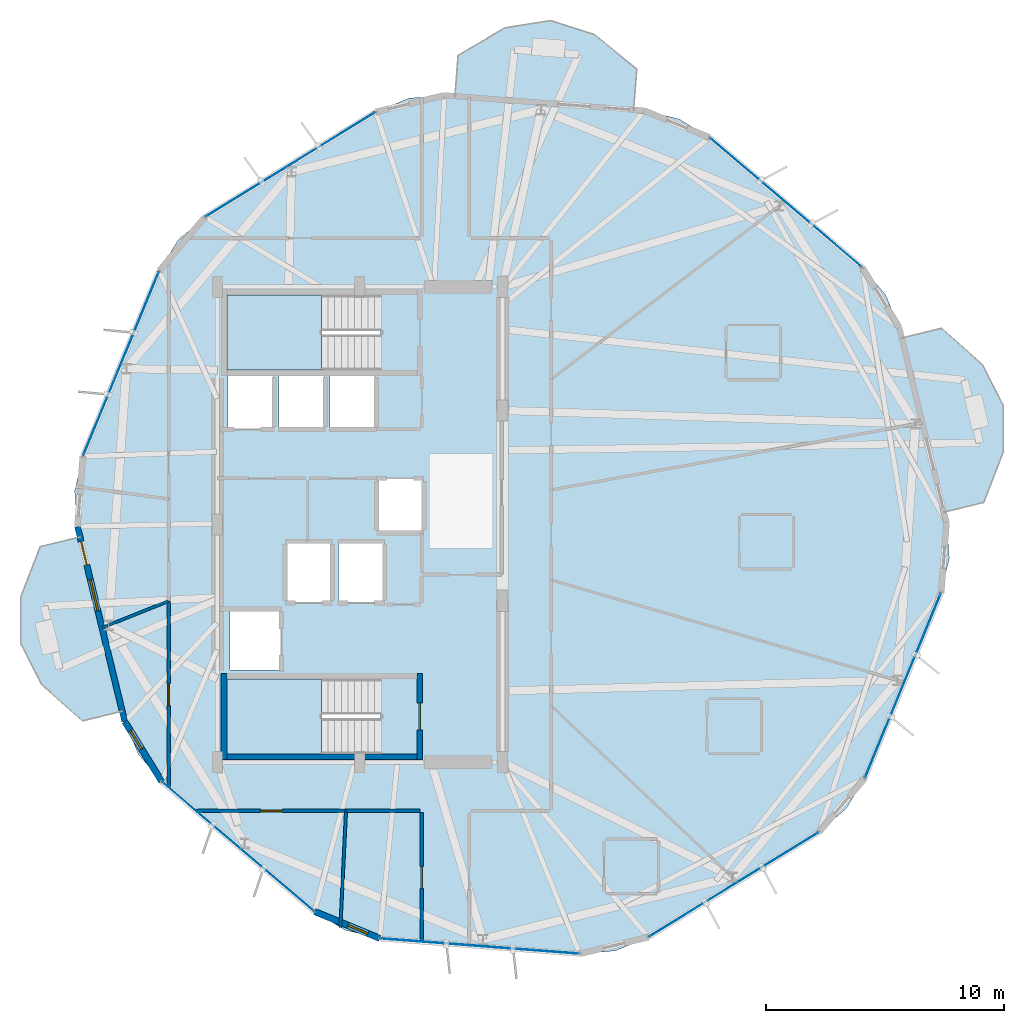
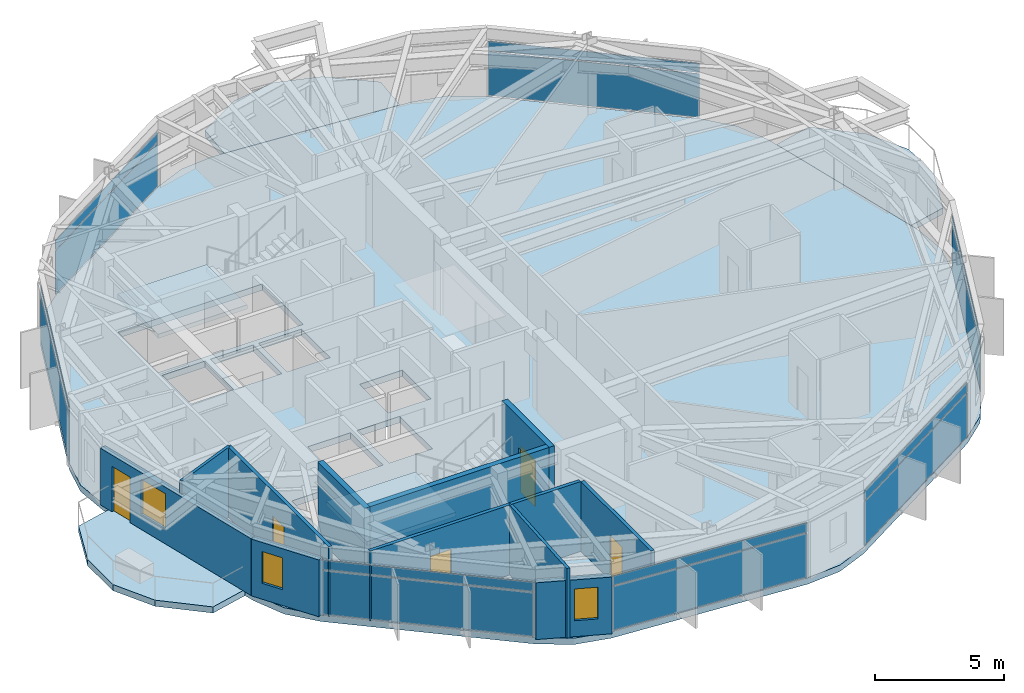
# One storey, part 14 of 21: 14 plates, 12 walls, 6 slabs, 5 doors, 3 windows, 8 openings, 9 elements without a shape of their own.
"""IFC4 building model written with IfcOpenShell, lengths in metres."""

from ifc_helpers import new_model, si_unit, direction, frame, frame_2d, origin, origin_2d, place, context, subcontext, project, spatial, polyline, rectangle, outline, extrude, material, layer, layer_set, type_object, element, fill, aggregate, save


model = new_model("IFC4")

# Units and contexts
model_context = context("Model", 3, precision=1e-05, world=origin(), true_north=direction((0.0, 1.0)))
body_context = subcontext(model_context, "Body", "Model", "MODEL_VIEW")
ifc_project = project(units=[si_unit("LENGTHUNIT", "METRE"), si_unit("AREAUNIT", "SQUARE_METRE"), si_unit("VOLUMEUNIT", "CUBIC_METRE"), si_unit("PLANEANGLEUNIT", "RADIAN"), si_unit("MASSUNIT", "GRAM", prefix="KILO")], contexts=[model_context])

# Site, building, storey
site_placement = place(None, origin())
site = spatial("IfcSite", under=ifc_project, at=site_placement, CompositionType="ELEMENT")
building_placement = place(site_placement, origin())
building = spatial("IfcBuilding", under=site, at=building_placement, Name="Soratama Intermodal Tower", CompositionType="ELEMENT")
storey_placement = place(building_placement, frame((0.0, 0.0, 149.800048828125)))
storey = spatial("IfcBuildingStorey", under=building, at=storey_placement, Name="L36", CompositionType="ELEMENT", Elevation=149.800048828125)

# Curtain wall, plates
ifc_material_1 = material(Name="Double-glazed aluminium curtain wall", Category="aluminium")
ifc_layer_1 = layer(ifc_material_1, 0.159912109375)
ifc_layer_set_1 = layer_set([ifc_layer_1], Name="Double-glazed aluminium curtain wall")
curtain_wall_type = type_object("IfcCurtainWallType", Name="CW-SYS-4", PredefinedType="NOTDEFINED", material=ifc_layer_set_1)
curtain_wall_1_placement = place(storey_placement, origin())
curtain_wall_1 = element("IfcCurtainWall", 1, at=curtain_wall_1_placement, inside=storey, type_object=curtain_wall_type, Name="L36 Faceted Curtain Wall F01", PredefinedType="NOTDEFINED")
ifc_material_2 = material(Name="Low-E laminated double glazing", Category="glass")
ifc_layer_2 = layer(ifc_material_2, 0.02392578125)
ifc_layer_set_2 = layer_set([ifc_layer_2], Name="Low-E laminated double glazing")
plate_type = type_object("IfcPlateType", Name="PT-CWP-4", PredefinedType="CURTAIN_PANEL", material=ifc_layer_set_2)
plate_1_placement = place(storey_placement, frame((56.5244140625, 38.550537109375, 0.059814453125), z_axis=(0.0, 0.0, 1.0), x_axis=(-0.761761555942, 0.647857493504, 0.0)))
plate_1 = element("IfcPlate", 2, at=plate_1_placement, type_object=plate_type, Name="CW-4 panel 1.1", PredefinedType="CURTAIN_PANEL", context=body_context, shape_type="SweptSolid", body=[
    extrude(rectangle(XDim=8.320556640625, YDim=0.028076171875, at=origin_2d()), origin(), (0.0, 0.0, 1.0), 2.06005859375),
])
plate_2_placement = place(storey_placement, frame((56.5244140625, 38.550537109375, 2.179931640625), z_axis=(0.0, 0.0, 1.0), x_axis=(-0.761761555942, 0.647857493504, 0.0)))
plate_2 = element("IfcPlate", 3, at=plate_2_placement, type_object=plate_type, Name="CW-4 panel 1.2", PredefinedType="CURTAIN_PANEL", context=body_context, shape_type="SweptSolid", body=[
    extrude(rectangle(XDim=8.320556640625, YDim=0.028076171875, at=origin_2d()), origin(), (0.0, 0.0, 1.0), 0.43896484375),
])
aggregate(curtain_wall_1, [plate_1, plate_2])

curtain_wall_2_placement = place(storey_placement, origin())
curtain_wall_2 = element("IfcCurtainWall", 4, at=curtain_wall_2_placement, inside=storey, type_object=curtain_wall_type, Name="L36 Faceted Curtain Wall F03", PredefinedType="NOTDEFINED")
plate_3_placement = place(storey_placement, frame((35.673828125, 40.147705078125, 0.059814453125), z_axis=(0.0, 0.0, 1.0), x_axis=(-0.851548057479, -0.524276554696, 0.0)))
plate_3 = element("IfcPlate", 5, at=plate_3_placement, type_object=plate_type, Name="CW-4 panel 1.1", PredefinedType="CURTAIN_PANEL", context=body_context, shape_type="SweptSolid", body=[
    extrude(rectangle(XDim=8.3203125, YDim=0.028076171875, at=origin_2d()), origin(), (0.0, 0.0, 1.0), 2.06005859375),
])
plate_4_placement = place(storey_placement, frame((35.673828125, 40.147705078125, 2.179931640625), z_axis=(0.0, 0.0, 1.0), x_axis=(-0.851548057479, -0.524276554696, 0.0)))
plate_4 = element("IfcPlate", 6, at=plate_4_placement, type_object=plate_type, Name="CW-4 panel 1.2", PredefinedType="CURTAIN_PANEL", context=body_context, shape_type="SweptSolid", body=[
    extrude(rectangle(XDim=8.3203125, YDim=0.028076171875, at=origin_2d()), origin(), (0.0, 0.0, 1.0), 0.43896484375),
])
aggregate(curtain_wall_2, [plate_3, plate_4])

curtain_wall_3_placement = place(storey_placement, origin())
curtain_wall_3 = element("IfcCurtainWall", 7, at=curtain_wall_3_placement, inside=storey, type_object=curtain_wall_type, Name="L36 Faceted Curtain Wall F04", PredefinedType="NOTDEFINED")
plate_5_placement = place(storey_placement, frame((28.55126953125, 31.77294921875, 0.059814453125), z_axis=(0.0, 0.0, 1.0), x_axis=(-0.380749805255, -0.924678098474, 0.0)))
plate_5 = element("IfcPlate", 8, at=plate_5_placement, type_object=plate_type, Name="CW-4 panel 1.1", PredefinedType="CURTAIN_PANEL", context=body_context, shape_type="SweptSolid", body=[
    extrude(rectangle(XDim=8.320556640625, YDim=0.028076171875, at=origin_2d()), origin(), (0.0, 0.0, 1.0), 2.06005859375),
])
plate_6_placement = place(storey_placement, frame((28.55126953125, 31.77294921875, 2.179931640625), z_axis=(0.0, 0.0, 1.0), x_axis=(-0.380749805255, -0.924678098474, 0.0)))
plate_6 = element("IfcPlate", 9, at=plate_6_placement, type_object=plate_type, Name="CW-4 panel 1.2", PredefinedType="CURTAIN_PANEL", context=body_context, shape_type="SweptSolid", body=[
    extrude(rectangle(XDim=8.320556640625, YDim=0.028076171875, at=origin_2d()), origin(), (0.0, 0.0, 1.0), 0.43896484375),
])
aggregate(curtain_wall_3, [plate_5, plate_6])

curtain_wall_4_placement = place(storey_placement, origin())
curtain_wall_4 = element("IfcCurtainWall", 10, at=curtain_wall_4_placement, inside=storey, type_object=curtain_wall_type, Name="L36 Faceted Curtain Wall F06", PredefinedType="NOTDEFINED")
plate_7_placement = place(storey_placement, frame((33.4755859375, 11.449462890625, 0.059814453125), z_axis=(0.0, 0.0, 1.0), x_axis=(0.761761555942, -0.647857493504, 0.0)))
plate_7 = element("IfcPlate", 11, at=plate_7_placement, type_object=plate_type, Name="CW-4 panel 1.1", PredefinedType="CURTAIN_PANEL", context=body_context, shape_type="SweptSolid", body=[
    extrude(rectangle(XDim=8.320556640625, YDim=0.028076171875, at=origin_2d()), origin(), (0.0, 0.0, 1.0), 2.06005859375),
])
plate_8_placement = place(storey_placement, frame((33.4755859375, 11.449462890625, 2.179931640625), z_axis=(0.0, 0.0, 1.0), x_axis=(0.761761555942, -0.647857493504, 0.0)))
plate_8 = element("IfcPlate", 12, at=plate_8_placement, type_object=plate_type, Name="CW-4 panel 1.2", PredefinedType="CURTAIN_PANEL", context=body_context, shape_type="SweptSolid", body=[
    extrude(rectangle(XDim=8.320556640625, YDim=0.028076171875, at=origin_2d()), origin(), (0.0, 0.0, 1.0), 0.43896484375),
])
aggregate(curtain_wall_4, [plate_7, plate_8])

curtain_wall_5_placement = place(storey_placement, origin())
curtain_wall_5 = element("IfcCurtainWall", 13, at=curtain_wall_5_placement, inside=storey, type_object=curtain_wall_type, Name="L36 Faceted Curtain Wall F07", PredefinedType="NOTDEFINED")
plate_9_placement = place(storey_placement, frame((43.6416015625, 7.263427734375, 0.059814453125), z_axis=(0.0, 0.0, 1.0), x_axis=(0.997079521421, -0.076370334311, 0.0)))
plate_9 = element("IfcPlate", 14, at=plate_9_placement, type_object=plate_type, Name="CW-4 panel 1.1", PredefinedType="CURTAIN_PANEL", context=body_context, shape_type="SweptSolid", body=[
    extrude(rectangle(XDim=8.320556640625, YDim=0.028076171875, at=origin_2d()), origin(), (0.0, 0.0, 1.0), 2.06005859375),
])
plate_10_placement = place(storey_placement, frame((43.6416015625, 7.263427734375, 2.179931640625), z_axis=(0.0, 0.0, 1.0), x_axis=(0.997079521421, -0.076370334311, 0.0)))
plate_10 = element("IfcPlate", 15, at=plate_10_placement, type_object=plate_type, Name="CW-4 panel 1.2", PredefinedType="CURTAIN_PANEL", context=body_context, shape_type="SweptSolid", body=[
    extrude(rectangle(XDim=8.320556640625, YDim=0.028076171875, at=origin_2d()), origin(), (0.0, 0.0, 1.0), 0.43896484375),
])
aggregate(curtain_wall_5, [plate_9, plate_10])

curtain_wall_6_placement = place(storey_placement, origin())
curtain_wall_6 = element("IfcCurtainWall", 16, at=curtain_wall_6_placement, inside=storey, type_object=curtain_wall_type, Name="L36 Faceted Curtain Wall F08", PredefinedType="NOTDEFINED")
plate_11_placement = place(storey_placement, frame((54.326171875, 9.852294921875, 0.059814453125), z_axis=(0.0, 0.0, 1.0), x_axis=(0.851548057479, 0.524276554696, 0.0)))
plate_11 = element("IfcPlate", 17, at=plate_11_placement, type_object=plate_type, Name="CW-4 panel 1.1", PredefinedType="CURTAIN_PANEL", context=body_context, shape_type="SweptSolid", body=[
    extrude(rectangle(XDim=8.3203125, YDim=0.028076171875, at=origin_2d()), origin(), (0.0, 0.0, 1.0), 2.06005859375),
])
plate_12_placement = place(storey_placement, frame((54.326171875, 9.852294921875, 2.179931640625), z_axis=(0.0, 0.0, 1.0), x_axis=(0.851548057479, 0.524276554696, 0.0)))
plate_12 = element("IfcPlate", 18, at=plate_12_placement, type_object=plate_type, Name="CW-4 panel 1.2", PredefinedType="CURTAIN_PANEL", context=body_context, shape_type="SweptSolid", body=[
    extrude(rectangle(XDim=8.3203125, YDim=0.028076171875, at=origin_2d()), origin(), (0.0, 0.0, 1.0), 0.43896484375),
])
aggregate(curtain_wall_6, [plate_11, plate_12])

curtain_wall_7_placement = place(storey_placement, origin())
curtain_wall_7 = element("IfcCurtainWall", 19, at=curtain_wall_7_placement, inside=storey, type_object=curtain_wall_type, Name="L36 Faceted Curtain Wall F09", PredefinedType="NOTDEFINED")
plate_13_placement = place(storey_placement, frame((61.44873046875, 18.22705078125, 0.059814453125), z_axis=(0.0, 0.0, 1.0), x_axis=(0.380749805255, 0.924678098474, 0.0)))
plate_13 = element("IfcPlate", 20, at=plate_13_placement, type_object=plate_type, Name="CW-4 panel 1.1", PredefinedType="CURTAIN_PANEL", context=body_context, shape_type="SweptSolid", body=[
    extrude(rectangle(XDim=8.320556640625, YDim=0.028076171875, at=origin_2d()), origin(), (0.0, 0.0, 1.0), 2.06005859375),
])
plate_14_placement = place(storey_placement, frame((61.44873046875, 18.22705078125, 2.179931640625), z_axis=(0.0, 0.0, 1.0), x_axis=(0.380749805255, 0.924678098474, 0.0)))
plate_14 = element("IfcPlate", 21, at=plate_14_placement, type_object=plate_type, Name="CW-4 panel 1.2", PredefinedType="CURTAIN_PANEL", context=body_context, shape_type="SweptSolid", body=[
    extrude(rectangle(XDim=8.320556640625, YDim=0.028076171875, at=origin_2d()), origin(), (0.0, 0.0, 1.0), 0.43896484375),
])
aggregate(curtain_wall_7, [plate_13, plate_14])

# Slabs
ifc_material_3 = material(Name="Concrete f'c 42 MPa", Category="concrete")
ifc_layer_3 = layer(ifc_material_3, 0.2900390625)
ifc_layer_set_3 = layer_set([ifc_layer_3], Name="Concrete f'c 42 MPa")
slab_type_1 = type_object("IfcSlabType", Name="SL-EXT-BAL2", PredefinedType="FLOOR", material=ifc_layer_set_3)
slab_1_placement = place(storey_placement, frame((0.0, 0.0, -0.2900390625)))
element("IfcSlab", 22, at=slab_1_placement, inside=storey, type_object=slab_type_1, Name="L36 Planted Balcony East 1", PredefinedType="FLOOR", context=body_context, shape_type="SweptSolid", body=[
    extrude(outline(polyline([(63.176025390625, 25.524658203125), (61.400390625, 32.85302734375), (63.072021484375, 33.258056640625), (64.7900390625, 31.734619140625), (65.67041015625, 30.00830078125), (65.677734375, 28.0703125), (64.84765625, 25.9296875), (63.176025390625, 25.524658203125)])), origin(), (0.0, 0.0, 1.0), 0.2900390625),
])
slab_2_placement = place(storey_placement, frame((0.0, 0.0, -0.2900390625)))
element("IfcSlab", 23, at=slab_2_placement, inside=storey, type_object=slab_type_1, Name="L36 Planted Balcony North 2", PredefinedType="FLOOR", context=body_context, shape_type="SweptSolid", body=[
    extrude(outline(polyline([(50.11767578125, 42.448486328125), (42.599365234375, 43.0244140625), (42.730712890625, 44.739501953125), (44.71044921875, 45.902587890625), (46.624267578125, 46.206298828125), (48.469482421875, 45.614501953125), (50.2490234375, 44.16357421875), (50.11767578125, 42.448486328125)])), origin(), (0.0, 0.0, 1.0), 0.2900390625),
])
slab_3_placement = place(storey_placement, frame((0.0, 0.0, -0.2900390625)))
element("IfcSlab", 24, at=slab_3_placement, inside=storey, type_object=slab_type_1, Name="L36 Planted Balcony West 3", PredefinedType="FLOOR", context=body_context, shape_type="SweptSolid", body=[
    extrude(outline(polyline([(26.823974609375, 24.475341796875), (28.599609375, 17.14697265625), (26.927978515625, 16.741943359375), (25.2099609375, 18.265380859375), (24.32958984375, 19.99169921875), (24.322265625, 21.9296875), (25.15234375, 24.0703125), (26.823974609375, 24.475341796875)])), origin(), (0.0, 0.0, 1.0), 0.2900390625),
])

# Stair, slab
ifc_material_4 = material(Name="Concrete f'c 42 MPa", Category="concrete")
stair_type = type_object("IfcStairType", Name="ST-CORE-DOGLEG", PredefinedType="HALF_TURN_STAIR", material=ifc_material_4)
stair_1_placement = place(storey_placement, origin())
stair_1 = element("IfcStair", 25, at=stair_1_placement, inside=storey, type_object=stair_type, Name="L36 ST-1", PredefinedType="HALF_TURN_STAIR")
ifc_material_5 = material(Name="Concrete f'c 42 MPa", Category="concrete")
ifc_layer_4 = layer(ifc_material_5, 0.219970703125)
ifc_layer_set_4 = layer_set([ifc_layer_4], Name="Concrete f'c 42 MPa")
slab_type_2 = type_object("IfcSlabType", Name="SL-STAIR-LAND", PredefinedType="LANDING", material=ifc_layer_set_4)
slab_4_placement = place(storey_placement, frame((0.0, 0.0, 1.599853515625)))
slab_4 = element("IfcSlab", 26, at=slab_4_placement, type_object=slab_type_2, Name="ST-1 landing 1", PredefinedType="LANDING", context=body_context, shape_type="SweptSolid", body=[
    extrude(outline(polyline([(36.97998046875, 18.5), (33.0, 18.5), (33.0, 15.35009765625), (36.97998046875, 15.35009765625), (36.97998046875, 18.5)])), origin(), (0.0, 0.0, 1.0), 0.2001953125),
])
aggregate(stair_1, [slab_4])

stair_2_placement = place(storey_placement, origin())
stair_2 = element("IfcStair", 27, at=stair_2_placement, inside=storey, type_object=stair_type, Name="L36 ST-2", PredefinedType="HALF_TURN_STAIR")
slab_5_placement = place(storey_placement, frame((0.0, 0.0, 1.599853515625)))
slab_5 = element("IfcSlab", 28, at=slab_5_placement, type_object=slab_type_2, Name="ST-2 landing 1", PredefinedType="LANDING", context=body_context, shape_type="SweptSolid", body=[
    extrude(outline(polyline([(36.97998046875, 34.64990234375), (33.0, 34.64990234375), (33.0, 31.5), (36.97998046875, 31.5), (36.97998046875, 34.64990234375)])), origin(), (0.0, 0.0, 1.0), 0.2001953125),
])
aggregate(stair_2, [slab_5])

# Slab
ifc_material_6 = material(Name="Concrete f'c 42 MPa", Category="concrete")
ifc_layer_5 = layer(ifc_material_6, 0.280029296875)
ifc_layer_set_5 = layer_set([ifc_layer_5], Name="Concrete f'c 42 MPa")
slab_type_3 = type_object("IfcSlabType", Name="SL-TWR-280", PredefinedType="FLOOR", material=ifc_layer_set_5)
slab_6_placement = place(storey_placement, frame((0.0, 0.0, -0.300048828125)))
element("IfcSlab", 29, at=slab_6_placement, inside=storey, type_object=slab_type_3, Name="L36 Structural Floor Slab", PredefinedType="FLOOR", context=body_context, shape_type="SweptSolid", body=[
    extrude(outline(polyline([(61.29443359375, 33.290283203125), (60.716796875, 34.676513671875), (59.739013671875, 35.81640625), (53.3095703125, 41.28466796875), (52.02734375, 42.066650390625), (50.56640625, 42.414306640625), (42.150634765625, 43.058837890625), (40.65380859375, 42.93798828125), (39.267578125, 42.360107421875), (32.080078125, 37.93505859375), (30.940185546875, 36.95751953125), (30.158203125, 35.67529296875), (26.944580078125, 27.87060546875), (26.596923828125, 26.40966796875), (26.718017578125, 24.91259765625), (28.70556640625, 16.709716796875), (29.283203125, 15.323486328125), (30.260986328125, 14.18359375), (36.6904296875, 8.71533203125), (37.97265625, 7.933349609375), (39.43359375, 7.585693359375), (47.849365234375, 6.941162109375), (49.34619140625, 7.06201171875), (50.732421875, 7.639892578125), (57.919921875, 12.06494140625), (59.059814453125, 13.04248046875), (59.841796875, 14.32470703125), (63.055419921875, 22.12939453125), (63.403076171875, 23.59033203125), (63.281982421875, 25.08740234375), (61.29443359375, 33.290283203125)]), holes=[polyline([(33.0, 18.5), (33.0, 15.35009765625), (39.47509765625, 15.35009765625), (39.47509765625, 18.5), (33.0, 18.5)]), polyline([(35.260009765625, 21.409912109375), (33.139892578125, 21.409912109375), (33.139892578125, 18.889892578125), (35.260009765625, 18.889892578125), (35.260009765625, 21.409912109375)]), polyline([(37.409912109375, 24.260009765625), (35.489990234375, 24.260009765625), (35.489990234375, 21.739990234375), (37.409912109375, 21.739990234375), (37.409912109375, 24.260009765625)]), polyline([(39.610107421875, 24.260009765625), (37.68994140625, 24.260009765625), (37.68994140625, 21.739990234375), (39.610107421875, 21.739990234375), (39.610107421875, 24.260009765625)]), polyline([(41.260009765625, 26.909912109375), (39.340087890625, 26.909912109375), (39.340087890625, 24.68994140625), (41.260009765625, 24.68994140625), (41.260009765625, 26.909912109375)]), polyline([(34.9599609375, 31.260009765625), (33.0400390625, 31.260009765625), (33.0400390625, 29.0400390625), (34.9599609375, 29.0400390625), (34.9599609375, 31.260009765625)]), polyline([(37.110107421875, 31.260009765625), (35.18994140625, 31.260009765625), (35.18994140625, 29.0400390625), (37.110107421875, 29.0400390625), (37.110107421875, 31.260009765625)]), polyline([(39.260009765625, 29.0400390625), (39.260009765625, 31.260009765625), (37.340087890625, 31.260009765625), (37.340087890625, 29.0400390625), (39.260009765625, 29.0400390625)]), polyline([(39.47509765625, 34.64990234375), (33.0, 34.64990234375), (33.0, 31.5), (39.47509765625, 31.5), (39.47509765625, 34.64990234375)])]), origin(), (0.0, 0.0, 1.0), 0.300048828125),
])

# Wall, openings, door, window
ifc_material_7 = material(Name="Concrete f'c 42 MPa", Category="concrete")
ifc_layer_6 = layer(ifc_material_7, 0.25)
ifc_layer_set_6 = layer_set([ifc_layer_6], Name="Concrete f'c 42 MPa")
wall_type_1 = type_object("IfcWallType", Name="EW-BAL-250", PredefinedType="SOLIDWALL", material=ifc_layer_set_6)
wall_1_placement = place(storey_placement, frame((26.718017578125, 24.91259765625, 0.0), z_axis=(0.0, 0.0, 1.0), x_axis=(0.235484947951, -0.971877996092, 0.0)))
wall_1 = element("IfcWall", 30, at=wall_1_placement, inside=storey, type_object=wall_type_1, Name="L36 Terrace Wall F05", PredefinedType="SOLIDWALL", context=body_context, shape_type="SweptSolid", body=[
    extrude(rectangle(XDim=8.440185546875, YDim=0.25, at=frame_2d((4.22021484375, 0.0))), origin(), (0.0, 0.0, 1.0), 2.678955078125),
])
opening_1_placement = place(wall_1_placement, frame((0.64990234375, 0.0, 0.0)))
opening_1 = element("IfcOpeningElement", 31, at=opening_1_placement, cuts=wall_1, Name="Opening ED-2", PredefinedType="OPENING", context=body_context, shape_type="SweptSolid", body=[
    extrude(rectangle(XDim=1.0, YDim=2.14990234375, at=frame_2d((0.5, 1.074951171875))), frame((0.0, 0.135009765625, 0.0), z_axis=(0.0, -1.0, 0.0), x_axis=(1.0, 0.0, 0.0)), (0.0, 0.0, 1.0), 0.27001953125),
])
opening_2_placement = place(wall_1_placement, frame((2.2900390625, 0.0, 0.719970703125)))
opening_2 = element("IfcOpeningElement", 32, at=opening_2_placement, cuts=wall_1, Name="Opening WN-4", PredefinedType="OPENING", context=body_context, shape_type="SweptSolid", body=[
    extrude(rectangle(XDim=1.35009765625, YDim=1.64990234375, at=frame_2d((0.675048828125, 0.824951171875))), frame((0.0, 0.135009765625, 0.0), z_axis=(0.0, -1.0, 0.0), x_axis=(1.0, 0.0, 0.0)), (0.0, 0.0, 1.0), 0.27001953125),
])
ifc_material_8 = material(Name="Double-glazed aluminium door", Category="aluminium")
door_type_1 = type_object("IfcDoorType", Name="DR-BAL-1000", OperationType="NOTDEFINED", PredefinedType="DOOR", material=ifc_material_8)
door_1_placement = place(opening_1_placement, origin())
door_1 = element("IfcDoor", 33, at=door_1_placement, inside=storey, type_object=door_type_1, Name="L36 Balcony Door F05", OperationType="SINGLE_SWING_LEFT", OverallHeight=2.14990234375, OverallWidth=1.0, PredefinedType="DOOR", context=body_context, shape_type="SweptSolid", body=[
    extrude(rectangle(XDim=1.0, YDim=2.14990234375, at=frame_2d((0.5, 1.074951171875))), frame((0.0, 0.02490234375, 0.0), z_axis=(0.0, -1.0, 0.0), x_axis=(1.0, 0.0, 0.0)), (0.0, 0.0, 1.0), 0.050048828125),
])
fill(opening_1, door_1)
ifc_material_9 = material(Name="Double-glazed aluminium window", Category="aluminium")
window_type_1 = type_object("IfcWindowType", Name="WN-FAC-1350", PartitioningType="SINGLE_PANEL", PredefinedType="WINDOW", material=ifc_material_9)
window_1_placement = place(opening_2_placement, origin())
window_1 = element("IfcWindow", 34, at=window_1_placement, inside=storey, type_object=window_type_1, Name="L36 Window B F05", OverallHeight=1.64990234375, OverallWidth=1.35009765625, PartitioningType="SINGLE_PANEL", PredefinedType="WINDOW", context=body_context, shape_type="SweptSolid", body=[
    extrude(rectangle(XDim=1.35009765625, YDim=1.64990234375, at=frame_2d((0.675048828125, 0.824951171875))), frame((0.0, 0.030029296875, 0.0), z_axis=(0.0, -1.0, 0.0), x_axis=(1.0, 0.0, 0.0)), (0.0, 0.0, 1.0), 0.06005859375),
])
fill(opening_2, window_1)

# Wall, opening, window
ifc_material_10 = material(Name="Concrete f'c 42 MPa", Category="concrete")
ifc_layer_7 = layer(ifc_material_10, 0.27001953125)
ifc_layer_set_7 = layer_set([ifc_layer_7], Name="Concrete f'c 42 MPa")
wall_type_2 = type_object("IfcWallType", Name="EW-CRN-270", PredefinedType="SOLIDWALL", material=ifc_layer_set_7)
wall_2_placement = place(storey_placement, frame((28.70556640625, 16.709716796875, 0.0), z_axis=(0.0, 0.0, 1.0), x_axis=(0.52431321731, -0.851525484148, 0.0)))
wall_2 = element("IfcWall", 35, at=wall_2_placement, inside=storey, type_object=wall_type_2, Name="L36 Corner Closure Wall 05", PredefinedType="SOLIDWALL", context=body_context, shape_type="SweptSolid", body=[
    extrude(rectangle(XDim=2.966552734375, YDim=0.27001953125, at=frame_2d((1.4833984375, 0.0))), origin(), (0.0, 0.0, 1.0), 2.678955078125),
])
opening_3_placement = place(wall_2_placement, frame((0.449951171875, 0.0, 0.75)))
opening_3 = element("IfcOpeningElement", 36, at=opening_3_placement, cuts=wall_2, Name="Opening WN-6", PredefinedType="OPENING", context=body_context, shape_type="SweptSolid", body=[
    extrude(rectangle(XDim=0.89990234375, YDim=1.5, at=frame_2d((0.449951171875, 0.75))), frame((0.0, 0.14501953125, 0.0), z_axis=(0.0, -1.0, 0.0), x_axis=(1.0, 0.0, 0.0)), (0.0, 0.0, 1.0), 0.2900390625),
])
ifc_material_11 = material(Name="Double-glazed aluminium window", Category="aluminium")
window_type_2 = type_object("IfcWindowType", Name="WN-FAC-900", PartitioningType="SINGLE_PANEL", PredefinedType="WINDOW", material=ifc_material_11)
window_2_placement = place(opening_3_placement, origin())
window_2 = element("IfcWindow", 37, at=window_2_placement, inside=storey, type_object=window_type_2, Name="L36 Corner Window 05", OverallHeight=1.5, OverallWidth=0.89990234375, PartitioningType="SINGLE_PANEL", PredefinedType="WINDOW", context=body_context, shape_type="SweptSolid", body=[
    extrude(rectangle(XDim=0.89990234375, YDim=1.5, at=frame_2d((0.449951171875, 0.75))), frame((0.0, 0.030029296875, 0.0), z_axis=(0.0, -1.0, 0.0), x_axis=(1.0, 0.0, 0.0)), (0.0, 0.0, 1.0), 0.06005859375),
])
fill(opening_3, window_2)

wall_3_placement = place(storey_placement, frame((36.6904296875, 8.71533203125, 0.0), z_axis=(0.0, 0.0, 1.0), x_axis=(0.924666167686, -0.380778778737, 0.0)))
wall_3 = element("IfcWall", 38, at=wall_3_placement, inside=storey, type_object=wall_type_2, Name="L36 Corner Closure Wall 06", PredefinedType="SOLIDWALL", context=body_context, shape_type="SweptSolid", body=[
    extrude(rectangle(XDim=2.966552734375, YDim=0.27001953125, at=frame_2d((1.4833984375, 0.0))), origin(), (0.0, 0.0, 1.0), 2.678955078125),
])
opening_4_placement = place(wall_3_placement, frame((1.519287109375, 0.0, 0.75)))
opening_4 = element("IfcOpeningElement", 39, at=opening_4_placement, cuts=wall_3, Name="Opening WN-6", PredefinedType="OPENING", context=body_context, shape_type="SweptSolid", body=[
    extrude(rectangle(XDim=0.89990234375, YDim=1.5, at=frame_2d((0.449951171875, 0.75))), frame((0.0, 0.14501953125, 0.0), z_axis=(0.0, -1.0, 0.0), x_axis=(1.0, 0.0, 0.0)), (0.0, 0.0, 1.0), 0.2900390625),
])
window_3_placement = place(opening_4_placement, origin())
window_3 = element("IfcWindow", 40, at=window_3_placement, inside=storey, type_object=window_type_2, Name="L36 Corner Window 06", OverallHeight=1.5, OverallWidth=0.89990234375, PartitioningType="SINGLE_PANEL", PredefinedType="WINDOW", context=body_context, shape_type="SweptSolid", body=[
    extrude(rectangle(XDim=0.89990234375, YDim=1.5, at=frame_2d((0.449951171875, 0.75))), frame((0.0, 0.030029296875, 0.0), z_axis=(0.0, -1.0, 0.0), x_axis=(1.0, 0.0, 0.0)), (0.0, 0.0, 1.0), 0.06005859375),
])
fill(opening_4, window_3)

# Wall, opening, door
ifc_material_12 = material(Name="Fire-rated gypsum stud partition", Category="concrete")
ifc_layer_8 = layer(ifc_material_12, 0.14990234375)
ifc_layer_set_8 = layer_set([ifc_layer_8], Name="Fire-rated gypsum stud partition")
wall_type_3 = type_object("IfcWallType", Name="IW-PART-R150", PredefinedType="PARTITIONING", material=ifc_layer_set_8)
wall_4_placement = place(storey_placement, frame((30.550048828125, 13.93798828125, 0.0), z_axis=(0.0, 0.0, 1.0), x_axis=(0.0, 1.0, 0.0)))
wall_4 = element("IfcWall", 41, at=wall_4_placement, inside=storey, type_object=wall_type_3, Name="L36 Partition W-L36-TP007", PredefinedType="PARTITIONING", context=body_context, shape_type="SweptSolid", body=[
    extrude(rectangle(XDim=7.840087890625, YDim=0.14990234375, at=frame_2d((3.919921875, 0.0))), origin(), (0.0, 0.0, 1.0), 3.300048828125),
])
opening_5_placement = place(wall_4_placement, frame((3.445068359375, 0.0, 0.0)))
opening_5 = element("IfcOpeningElement", 42, at=opening_5_placement, cuts=wall_4, Name="Opening ID-6", PredefinedType="OPENING", context=body_context, shape_type="SweptSolid", body=[
    extrude(rectangle(XDim=0.919921875, YDim=2.1201171875, at=frame_2d((0.4599609375, 1.06005859375))), frame((0.0, 0.0849609375, 0.0), z_axis=(0.0, -1.0, 0.0), x_axis=(1.0, 0.0, 0.0)), (0.0, 0.0, 1.0), 0.169921875),
])
ifc_material_13 = material(Name="Solid hardwood acoustic door", Category="wood")
door_type_2 = type_object("IfcDoorType", Name="DR-ROOM-920", OperationType="NOTDEFINED", PredefinedType="DOOR", material=ifc_material_13)
door_2_placement = place(opening_5_placement, origin())
door_2 = element("IfcDoor", 43, at=door_2_placement, inside=storey, type_object=door_type_2, Name="L36 Door D-L36-TP003", OperationType="SINGLE_SWING_RIGHT", OverallHeight=2.1201171875, OverallWidth=0.919921875, PredefinedType="DOOR", context=body_context, shape_type="SweptSolid", body=[
    extrude(rectangle(XDim=0.919921875, YDim=2.1201171875, at=frame_2d((0.4599609375, 1.06005859375))), frame((0.0, 0.02490234375, 0.0), z_axis=(0.0, -1.0, 0.0), x_axis=(1.0, 0.0, 0.0)), (0.0, 0.0, 1.0), 0.050048828125),
])
fill(opening_5, door_2)

wall_5_placement = place(storey_placement, frame((38.01611328125, 12.949951171875, 0.0), z_axis=(0.0, 0.0, 1.0), x_axis=(-1.0, 0.0, 0.0)))
wall_5 = element("IfcWall", 44, at=wall_5_placement, inside=storey, type_object=wall_type_3, Name="L36 Partition W-L36-TP009", PredefinedType="PARTITIONING", context=body_context, shape_type="SweptSolid", body=[
    extrude(rectangle(XDim=6.30517578125, YDim=0.14990234375, at=frame_2d((3.152587890625, 0.0))), origin(), (0.0, 0.0, 1.0), 3.300048828125),
])
opening_6_placement = place(wall_5_placement, frame((2.677001953125, 0.0, 0.0)))
opening_6 = element("IfcOpeningElement", 45, at=opening_6_placement, cuts=wall_5, Name="Opening ID-6", PredefinedType="OPENING", context=body_context, shape_type="SweptSolid", body=[
    extrude(rectangle(XDim=0.919921875, YDim=2.1201171875, at=frame_2d((0.4599609375, 1.06005859375))), frame((0.0, 0.0849609375, 0.0), z_axis=(0.0, -1.0, 0.0), x_axis=(1.0, 0.0, 0.0)), (0.0, 0.0, 1.0), 0.169921875),
])
door_3_placement = place(opening_6_placement, origin())
door_3 = element("IfcDoor", 46, at=door_3_placement, inside=storey, type_object=door_type_2, Name="L36 Door D-L36-TP005", OperationType="SINGLE_SWING_RIGHT", OverallHeight=2.1201171875, OverallWidth=0.919921875, PredefinedType="DOOR", context=body_context, shape_type="SweptSolid", body=[
    extrude(rectangle(XDim=0.919921875, YDim=2.1201171875, at=frame_2d((0.4599609375, 1.06005859375))), frame((0.0, 0.02490234375, 0.0), z_axis=(0.0, -1.0, 0.0), x_axis=(1.0, 0.0, 0.0)), (0.0, 0.0, 1.0), 0.050048828125),
])
fill(opening_6, door_3)

wall_6_placement = place(storey_placement, frame((41.199951171875, 7.450927734375, 0.0), z_axis=(0.0, 0.0, 1.0), x_axis=(0.0, 1.0, 0.0)))
wall_6 = element("IfcWall", 47, at=wall_6_placement, inside=storey, type_object=wall_type_3, Name="L36 Partition W-L36-TP014", PredefinedType="PARTITIONING", context=body_context, shape_type="SweptSolid", body=[
    extrude(rectangle(XDim=5.428955078125, YDim=0.14990234375, at=frame_2d((2.71435546875, 0.0))), origin(), (0.0, 0.0, 1.0), 3.300048828125),
])
opening_7_placement = place(wall_6_placement, frame((2.239990234375, 0.0, 0.0)))
opening_7 = element("IfcOpeningElement", 48, at=opening_7_placement, cuts=wall_6, Name="Opening ID-6", PredefinedType="OPENING", context=body_context, shape_type="SweptSolid", body=[
    extrude(rectangle(XDim=0.919921875, YDim=2.1201171875, at=frame_2d((0.4599609375, 1.06005859375))), frame((0.0, 0.0849609375, 0.0), z_axis=(0.0, -1.0, 0.0), x_axis=(1.0, 0.0, 0.0)), (0.0, 0.0, 1.0), 0.169921875),
])
door_4_placement = place(opening_7_placement, origin())
door_4 = element("IfcDoor", 49, at=door_4_placement, inside=storey, type_object=door_type_2, Name="L36 Door D-L36-TP008", OperationType="SINGLE_SWING_LEFT", OverallHeight=2.1201171875, OverallWidth=0.919921875, PredefinedType="DOOR", context=body_context, shape_type="SweptSolid", body=[
    extrude(rectangle(XDim=0.919921875, YDim=2.1201171875, at=frame_2d((0.4599609375, 1.06005859375))), frame((0.0, 0.02490234375, 0.0), z_axis=(0.0, -1.0, 0.0), x_axis=(1.0, 0.0, 0.0)), (0.0, 0.0, 1.0), 0.050048828125),
])
fill(opening_7, door_4)

# Walls
wall_7_placement = place(storey_placement, frame((41.1298828125, 12.949951171875, 0.0), z_axis=(0.0, 0.0, 1.0), x_axis=(-1.0, 0.0, 0.0)))
element("IfcWall", 50, at=wall_7_placement, inside=storey, type_object=wall_type_3, Name="L36 Partition W-L36-TP026", PredefinedType="PARTITIONING", context=body_context, shape_type="SweptSolid", body=[
    extrude(rectangle(XDim=3.11376953125, YDim=0.14990234375, at=frame_2d((1.556884765625, 0.0))), origin(), (0.0, 0.0, 1.0), 3.300048828125),
])
ifc_material_14 = material(Name="Fire-rated gypsum stud partition", Category="concrete")
ifc_layer_9 = layer(ifc_material_14, 0.1201171875)
ifc_layer_set_9 = layer_set([ifc_layer_9], Name="Fire-rated gypsum stud partition")
wall_type_4 = type_object("IfcWallType", Name="IW-PART-S120", PredefinedType="PARTITIONING", material=ifc_layer_set_9)
wall_8_placement = place(storey_placement, frame((30.550048828125, 21.778076171875, 0.0), z_axis=(0.0, 0.0, 1.0), x_axis=(-0.928621753336, -0.371027814634, 0.0)))
element("IfcWall", 51, at=wall_8_placement, inside=storey, type_object=wall_type_4, Name="L36 Partition W-L36-TP027", PredefinedType="PARTITIONING", context=body_context, shape_type="SweptSolid", body=[
    extrude(rectangle(XDim=3.016357421875, YDim=0.1201171875, at=frame_2d((1.50830078125, 0.0))), origin(), (0.0, 0.0, 1.0), 3.300048828125),
])
ifc_material_15 = material(Name="Fire-rated gypsum stud partition", Category="concrete")
ifc_layer_10 = layer(ifc_material_15, 0.1298828125)
ifc_layer_set_10 = layer_set([ifc_layer_10], Name="Fire-rated gypsum stud partition")
wall_type_5 = type_object("IfcWallType", Name="IW-PART-S130", PredefinedType="PARTITIONING", material=ifc_layer_set_10)
wall_9_placement = place(storey_placement, frame((38.01611328125, 12.949951171875, 0.0), z_axis=(0.0, 0.0, 1.0), x_axis=(-0.04833375536, -0.998831241048, 0.0)))
element("IfcWall", 52, at=wall_9_placement, inside=storey, type_object=wall_type_5, Name="L36 Partition W-L36-TP016", PredefinedType="PARTITIONING", context=body_context, shape_type="SweptSolid", body=[
    extrude(rectangle(XDim=4.904541015625, YDim=0.1298828125, at=frame_2d((2.4521484375, 0.0))), origin(), (0.0, 0.0, 1.0), 3.300048828125),
])
ifc_material_16 = material(Name="Concrete f'c 56 MPa", Category="concrete")
ifc_layer_11 = layer(ifc_material_16, 0.239990234375)
ifc_layer_set_11 = layer_set([ifc_layer_11], Name="Concrete f'c 56 MPa")
wall_type_6 = type_object("IfcWallType", Name="SW-STAIR-240", PredefinedType="SHEAR", material=ifc_layer_set_11)
wall_10_placement = place(storey_placement, frame((32.8798828125, 15.110107421875, 0.0), z_axis=(0.0, 0.0, 1.0), x_axis=(0.0, 1.0, 0.0)))
element("IfcWall", 53, at=wall_10_placement, inside=storey, type_object=wall_type_6, Name="L36 ST-1 Shaft Shear Wall W", PredefinedType="SHEAR", context=body_context, shape_type="SweptSolid", body=[
    extrude(rectangle(XDim=3.6298828125, YDim=0.239990234375, at=frame_2d((1.81494140625, 0.0))), origin(), (0.0, 0.0, 1.0), 3.599853515625),
])

# Wall, opening, door
wall_11_placement = place(storey_placement, frame((41.1201171875, 15.110107421875, 0.0), z_axis=(0.0, 0.0, 1.0), x_axis=(0.0, 1.0, 0.0)))
wall_11 = element("IfcWall", 54, at=wall_11_placement, inside=storey, type_object=wall_type_6, Name="L36 ST-1 Shaft Shear Wall E", PredefinedType="SHEAR", context=body_context, shape_type="SweptSolid", body=[
    extrude(rectangle(XDim=3.6298828125, YDim=0.239990234375, at=frame_2d((1.81494140625, 0.0))), origin(), (0.0, 0.0, 1.0), 3.599853515625),
])
opening_8_placement = place(wall_11_placement, frame((1.2548828125, 0.0, 0.0)))
opening_8 = element("IfcOpeningElement", 55, at=opening_8_placement, cuts=wall_11, Name="Opening SD-1", PredefinedType="OPENING", context=body_context, shape_type="SweptSolid", body=[
    extrude(rectangle(XDim=1.1201171875, YDim=2.14990234375, at=frame_2d((0.56005859375, 1.074951171875))), frame((0.0, 0.1298828125, 0.0), z_axis=(0.0, -1.0, 0.0), x_axis=(1.0, 0.0, 0.0)), (0.0, 0.0, 1.0), 0.260009765625),
])
ifc_material_17 = material(Name="Steel fire door", Category="steel")
door_type_3 = type_object("IfcDoorType", Name="DR-STAIR-FD90", OperationType="NOTDEFINED", PredefinedType="DOOR", material=ifc_material_17)
door_5_placement = place(opening_8_placement, origin())
door_5 = element("IfcDoor", 56, at=door_5_placement, inside=storey, type_object=door_type_3, Name="L36 ST-1 Exit Stair Door", OperationType="SINGLE_SWING_LEFT", OverallHeight=2.14990234375, OverallWidth=1.1201171875, PredefinedType="DOOR", context=body_context, shape_type="SweptSolid", body=[
    extrude(rectangle(XDim=1.1201171875, YDim=2.14990234375, at=frame_2d((0.56005859375, 1.074951171875))), frame((0.0, 0.02490234375, 0.0), z_axis=(0.0, -1.0, 0.0), x_axis=(1.0, 0.0, 0.0)), (0.0, 0.0, 1.0), 0.050048828125),
])
fill(opening_8, door_5)

# Wall
wall_12_placement = place(storey_placement, frame((33.0, 15.22998046875, 0.0), z_axis=(0.0, 0.0, 1.0), x_axis=(1.0, 0.0, 0.0)))
element("IfcWall", 57, at=wall_12_placement, inside=storey, type_object=wall_type_6, Name="L36 ST-1 Shaft Shear Wall S", PredefinedType="SHEAR", context=body_context, shape_type="SweptSolid", body=[
    extrude(rectangle(XDim=8.0, YDim=0.239990234375, at=frame_2d((4.0, 0.0))), origin(), (0.0, 0.0, 1.0), 3.599853515625),
])

save(model, "model.ifc")
